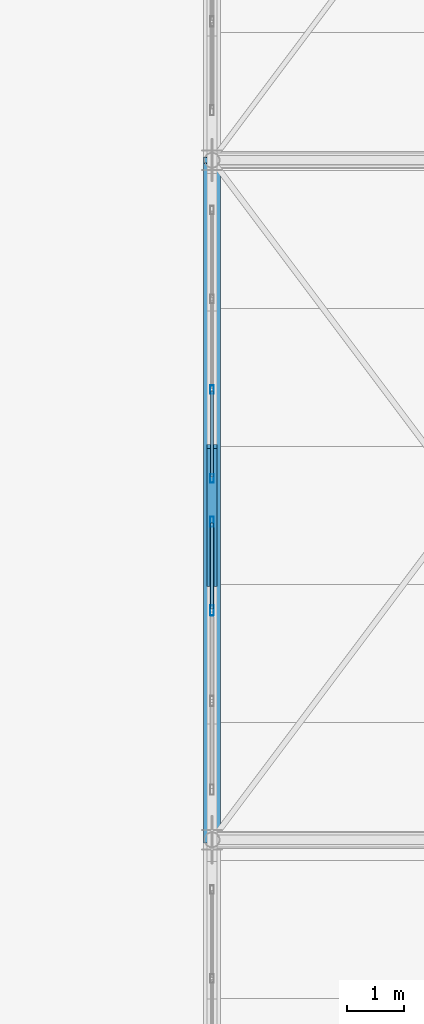
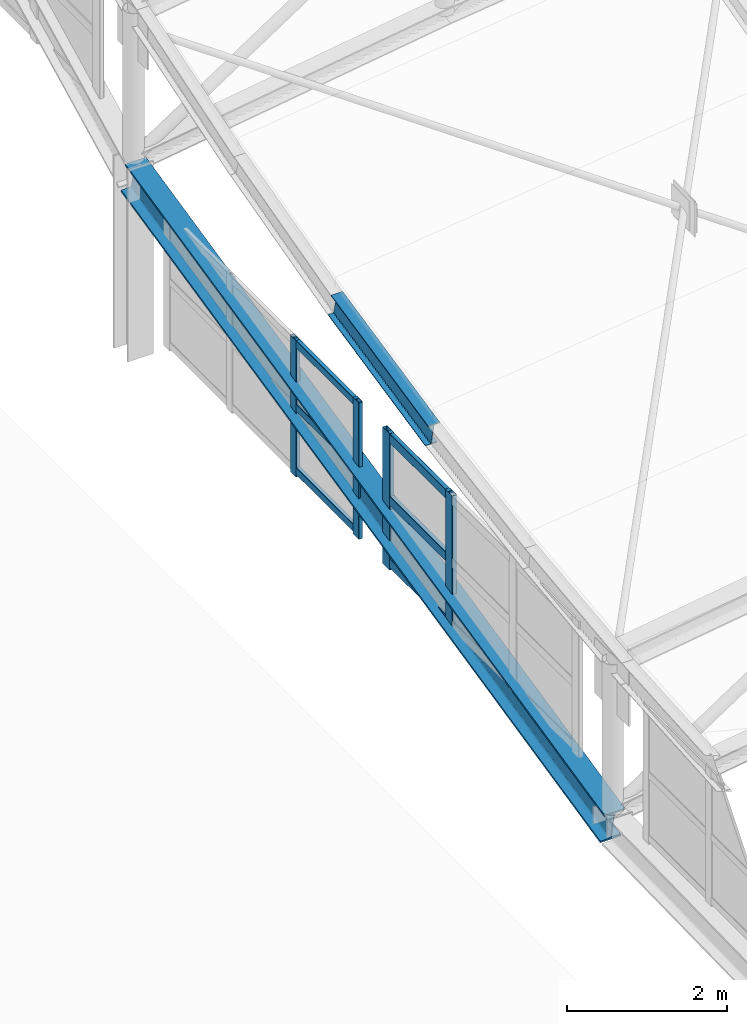
# One storey, part 110 of 262: 11 members, 1 beam, 2 elements without a shape of their own.
"""IFC4 building model written with IfcOpenShell, lengths in metres."""

from ifc_helpers import new_model, si_unit, derived_unit, direction, frame, origin, origin_2d, place, context, subcontext, project, spatial, hollow_rectangle, i_section, extrude, material, layer, layer_set, material_profile, profile_set, type_object, element, aggregate, save


model = new_model("IFC4")

# Units and contexts
model_context = context("Model", 3, precision=1e-05, world=origin(), true_north=direction((0.0, 1.0)))
body_context = subcontext(model_context, "Body", "Model", "MODEL_VIEW")
ifc_project = project(units=[si_unit("LENGTHUNIT", "METRE"), si_unit("AREAUNIT", "SQUARE_METRE"), si_unit("VOLUMEUNIT", "CUBIC_METRE"), si_unit("PLANEANGLEUNIT", "RADIAN"), si_unit("MASSUNIT", "GRAM", prefix="KILO"), derived_unit("THERMALTRANSMITTANCEUNIT", [(si_unit("POWERUNIT", "WATT"), 1), (si_unit("LENGTHUNIT", "METRE"), -2), (si_unit("THERMODYNAMICTEMPERATUREUNIT", "KELVIN"), -1)])], contexts=[model_context])

# Site, building, storey
site_placement = place(None, origin())
site = spatial("IfcSite", under=ifc_project, at=site_placement, CompositionType="ELEMENT")
building_placement = place(site_placement, origin())
building = spatial("IfcBuilding", under=site, at=building_placement, Name="Almenara Railside Exhibition Hall", CompositionType="ELEMENT")
storey_placement = place(building_placement, frame((0.0, 0.0, 21.699951171875)))
storey = spatial("IfcBuildingStorey", under=building, at=storey_placement, Name="RF", CompositionType="ELEMENT", Elevation=21.699951171875)

# Curtain wall, members
ifc_material_1 = material(Name="Bronze-anodised aluminium and low-E double glazing", Category="aluminium")
ifc_layer = layer(ifc_material_1, 0.179931640625, Name="Bronze-anodised aluminium and low-E double glazing")
ifc_layer_set = layer_set([ifc_layer], Name="Bronze-anodised aluminium and low-E double glazing")
curtain_wall_type = type_object("IfcCurtainWallType", Name="West Hall Clerestory Curtain Wall 4200x2400", PredefinedType="NOTDEFINED", material=ifc_layer_set)
curtain_wall_1_placement = place(storey_placement, origin())
curtain_wall_1 = element("IfcCurtainWall", 1, at=curtain_wall_1_placement, inside=storey, type_object=curtain_wall_type, Name="Curtain wall CW-CL1-189", PredefinedType="NOTDEFINED")
ifc_material_2 = material(Name="Bronze-anodised aluminium", Category="aluminium")
ifc_material_profile_1 = material_profile(ifc_material_2, hollow_rectangle(XDim=0.06005859375, YDim=0.14990234375, WallThickness=0.00341796875, InnerFilletRadius=0.00341796875, OuterFilletRadius=0.007080078125, at=origin_2d()), Name="ALU-MUL 60x150x3.5")
ifc_profile_set_1 = profile_set([ifc_material_profile_1], Name="Bronze-anodised aluminium")
member_type_1 = type_object("IfcMemberType", Name="Curtain Wall Mullion 60x150x3.5", PredefinedType="MULLION", material=ifc_profile_set_1)
member_1_placement = place(storey_placement, frame((12.0, 114.3798828125, -1.824951171875), z_axis=(0.0, 0.0, 1.0), x_axis=(-1.0, 0.0, 0.0)))
member_1 = element("IfcMember", 2, at=member_1_placement, type_object=member_type_1, Name="CW-CL1-189 mullion 1", PredefinedType="MULLION", context=body_context, shape_type="SweptSolid", body=[
    extrude(hollow_rectangle(XDim=0.06005859375, YDim=0.14990234375, WallThickness=0.00341796875, InnerFilletRadius=0.00341796875, OuterFilletRadius=0.007080078125, at=origin_2d()), origin(), (0.0, 0.0, 1.0), 2.0849609375),
])
member_2_placement = place(storey_placement, frame((12.0, 115.949951171875, -1.824951171875), z_axis=(0.0, 0.0, 1.0), x_axis=(-1.0, 0.0, 0.0)))
member_2 = element("IfcMember", 3, at=member_2_placement, type_object=member_type_1, Name="CW-CL1-189 mullion 2", PredefinedType="MULLION", context=body_context, shape_type="SweptSolid", body=[
    extrude(hollow_rectangle(XDim=0.06005859375, YDim=0.14990234375, WallThickness=0.00341796875, InnerFilletRadius=0.00341796875, OuterFilletRadius=0.007080078125, at=origin_2d()), origin(), (0.0, 0.0, 1.0), 2.0849609375),
])

curtain_wall_2_placement = place(storey_placement, origin())
curtain_wall_2 = element("IfcCurtainWall", 4, at=curtain_wall_2_placement, inside=storey, type_object=curtain_wall_type, Name="Curtain wall CW-CL1-188", PredefinedType="NOTDEFINED")
ifc_material_profile_2 = material_profile(ifc_material_2, hollow_rectangle(XDim=0.06494140625, YDim=0.179931640625, WallThickness=0.00390625, InnerFilletRadius=0.00390625, OuterFilletRadius=0.008056640625, at=origin_2d()), Name="ALU-MUL 65x180x4")
ifc_profile_set_2 = profile_set([ifc_material_profile_2], Name="Bronze-anodised aluminium")
member_type_2 = type_object("IfcMemberType", Name="Curtain Wall Mullion 65x180x4", PredefinedType="MULLION", material=ifc_profile_set_2)
member_3_placement = place(storey_placement, frame((12.0, 112.050048828125, -1.824951171875), z_axis=(0.0, 0.0, 1.0), x_axis=(-1.0, 0.0, 0.0)))
member_3 = element("IfcMember", 5, at=member_3_placement, type_object=member_type_2, Name="CW-CL1-188 mullion 3", PredefinedType="MULLION", context=body_context, shape_type="SweptSolid", body=[
    extrude(hollow_rectangle(XDim=0.06494140625, YDim=0.179931640625, WallThickness=0.00390625, InnerFilletRadius=0.00390625, OuterFilletRadius=0.008056640625, at=origin_2d()), origin(), (0.0, 0.0, 1.0), 2.0849609375),
])
member_4_placement = place(storey_placement, frame((12.0, 113.617431640625, -1.824951171875), z_axis=(0.0, 0.0, 1.0), x_axis=(-1.0, 0.0, 0.0)))
member_4 = element("IfcMember", 6, at=member_4_placement, type_object=member_type_2, Name="CW-CL1-188 mullion 4", PredefinedType="MULLION", context=body_context, shape_type="SweptSolid", body=[
    extrude(hollow_rectangle(XDim=0.06494140625, YDim=0.179931640625, WallThickness=0.00390625, InnerFilletRadius=0.00390625, OuterFilletRadius=0.008056640625, at=origin_2d()), origin(), (0.0, 0.0, 1.0), 2.0849609375),
])

# Member
ifc_material_profile_3 = material_profile(ifc_material_2, hollow_rectangle(XDim=0.06005859375, YDim=0.110107421875, WallThickness=0.0029296875, InnerFilletRadius=0.0029296875, OuterFilletRadius=0.006103515625, at=origin_2d()), Name="ALU-TRN 60x110x3")
ifc_profile_set_3 = profile_set([ifc_material_profile_3], Name="Bronze-anodised aluminium")
member_type_3 = type_object("IfcMemberType", Name="Curtain Wall Transom 60x110x3", PredefinedType="USERDEFINED", material=ifc_profile_set_3)
member_5_placement = place(storey_placement, frame((12.0, 114.402099609375, -1.73486328125), z_axis=(0.0, 1.0, 0.0), x_axis=(-1.0, 0.0, 0.0)))
member_5 = element("IfcMember", 7, at=member_5_placement, type_object=member_type_3, Name="CW-CL1-189 transom 1.1", ObjectType="TRANSOM", PredefinedType="USERDEFINED", context=body_context, shape_type="SweptSolid", body=[
    extrude(hollow_rectangle(XDim=0.06005859375, YDim=0.110107421875, WallThickness=0.0029296875, InnerFilletRadius=0.0029296875, OuterFilletRadius=0.006103515625, at=origin_2d()), origin(), (0.0, 0.0, 1.0), 1.52587890625),
])

member_6_placement = place(storey_placement, frame((12.0, 114.402099609375, -0.764892578125), z_axis=(0.0, 1.0, 0.0), x_axis=(-1.0, 0.0, 0.0)))
member_6 = element("IfcMember", 8, at=member_6_placement, type_object=member_type_3, Name="CW-CL1-189 transom 1.2", ObjectType="TRANSOM", PredefinedType="USERDEFINED", context=body_context, shape_type="SweptSolid", body=[
    extrude(hollow_rectangle(XDim=0.06005859375, YDim=0.110107421875, WallThickness=0.0029296875, InnerFilletRadius=0.0029296875, OuterFilletRadius=0.006103515625, at=origin_2d()), origin(), (0.0, 0.0, 1.0), 1.52587890625),
])

member_7_placement = place(storey_placement, frame((12.0, 114.402099609375, 0.205078125), z_axis=(0.0, 1.0, 0.0), x_axis=(-1.0, 0.0, 0.0)))
member_7 = element("IfcMember", 9, at=member_7_placement, type_object=member_type_3, Name="CW-CL1-189 transom 1.3", ObjectType="TRANSOM", PredefinedType="USERDEFINED", context=body_context, shape_type="SweptSolid", body=[
    extrude(hollow_rectangle(XDim=0.06005859375, YDim=0.110107421875, WallThickness=0.0029296875, InnerFilletRadius=0.0029296875, OuterFilletRadius=0.006103515625, at=origin_2d()), origin(), (0.0, 0.0, 1.0), 1.52587890625),
])

aggregate(curtain_wall_1, [member_1, member_2, member_5, member_6, member_7])

ifc_material_profile_4 = material_profile(ifc_material_2, hollow_rectangle(XDim=0.06494140625, YDim=0.139892578125, WallThickness=0.00341796875, InnerFilletRadius=0.00341796875, OuterFilletRadius=0.007080078125, at=origin_2d()), Name="ALU-TRN 65x140x3.5")
ifc_profile_set_4 = profile_set([ifc_material_profile_4], Name="Bronze-anodised aluminium")
member_type_4 = type_object("IfcMemberType", Name="Curtain Wall Transom 65x140x3.5", PredefinedType="USERDEFINED", material=ifc_profile_set_4)
member_8_placement = place(storey_placement, frame((12.0, 112.074462890625, -1.719970703125), z_axis=(0.0, 1.0, 0.0), x_axis=(-1.0, 0.0, 0.0)))
member_8 = element("IfcMember", 10, at=member_8_placement, type_object=member_type_4, Name="CW-CL1-188 transom 3.1", ObjectType="TRANSOM", PredefinedType="USERDEFINED", context=body_context, shape_type="SweptSolid", body=[
    extrude(hollow_rectangle(XDim=0.06494140625, YDim=0.139892578125, WallThickness=0.00341796875, InnerFilletRadius=0.00341796875, OuterFilletRadius=0.007080078125, at=origin_2d()), origin(), (0.0, 0.0, 1.0), 1.5185546875),
])

member_9_placement = place(storey_placement, frame((12.0, 112.074462890625, -0.764892578125), z_axis=(0.0, 1.0, 0.0), x_axis=(-1.0, 0.0, 0.0)))
member_9 = element("IfcMember", 11, at=member_9_placement, type_object=member_type_4, Name="CW-CL1-188 transom 3.2", ObjectType="TRANSOM", PredefinedType="USERDEFINED", context=body_context, shape_type="SweptSolid", body=[
    extrude(hollow_rectangle(XDim=0.06494140625, YDim=0.139892578125, WallThickness=0.00341796875, InnerFilletRadius=0.00341796875, OuterFilletRadius=0.007080078125, at=origin_2d()), origin(), (0.0, 0.0, 1.0), 1.5185546875),
])

member_10_placement = place(storey_placement, frame((12.0, 112.074462890625, 0.18994140625), z_axis=(0.0, 1.0, 0.0), x_axis=(-1.0, 0.0, 0.0)))
member_10 = element("IfcMember", 12, at=member_10_placement, type_object=member_type_4, Name="CW-CL1-188 transom 3.3", ObjectType="TRANSOM", PredefinedType="USERDEFINED", context=body_context, shape_type="SweptSolid", body=[
    extrude(hollow_rectangle(XDim=0.06494140625, YDim=0.139892578125, WallThickness=0.00341796875, InnerFilletRadius=0.00341796875, OuterFilletRadius=0.007080078125, at=origin_2d()), origin(), (0.0, 0.0, 1.0), 1.5185546875),
])

aggregate(curtain_wall_2, [member_3, member_4, member_8, member_9, member_10])

ifc_material_3 = material(Name="Structural steel S355JR", Category="steel")
ifc_material_profile_5 = material_profile(ifc_material_3, i_section(OverallWidth=0.169921875, OverallDepth=0.360107421875, WebThickness=0.008056640625, FlangeThickness=0.0126953125, FilletRadius=0.01806640625, at=origin_2d()), Name="IPE 360")
ifc_profile_set_5 = profile_set([ifc_material_profile_5], Name="Structural steel S355JR")
member_type_5 = type_object("IfcMemberType", Name="Long-Span Scroll Purlin IPE 360 S355JR", PredefinedType="PURLIN", material=ifc_profile_set_5)
member_11_placement = place(storey_placement, frame((12.0, 112.50634765625, 0.86279296875), z_axis=(0.0, 0.977516294467, 0.210859891994), x_axis=(-1.0, 0.0, 0.0)))
element("IfcMember", 13, at=member_11_placement, inside=storey, type_object=member_type_5, Name="MEM-PR-V1-PR-IPE360-00-20", PredefinedType="PURLIN", context=body_context, shape_type="SweptSolid", body=[
    extrude(i_section(OverallWidth=0.169921875, OverallDepth=0.360107421875, WebThickness=0.008056640625, FlangeThickness=0.0126953125, FilletRadius=0.01806640625, at=origin_2d()), origin(), (0.0, 0.0, 1.0), 2.492919921875),
])

# Beam
ifc_material_profile_6 = material_profile(ifc_material_3, i_section(OverallWidth=0.300048828125, OverallDepth=0.5, WebThickness=0.014404296875, FlangeThickness=0.028076171875, FilletRadius=0.027099609375, at=origin_2d()), Name="HEB 500")
ifc_profile_set_6 = profile_set([ifc_material_profile_6], Name="Structural steel S355JR")
beam_type = type_object("IfcBeamType", Name="Steel Heavy Eaves Girder HEB 500 S355JR", PredefinedType="USERDEFINED", material=ifc_profile_set_6)
beam_placement = place(storey_placement, frame((12.0, 108.0, -2.38525390625), z_axis=(0.0, 0.976017158666, 0.217693605763), x_axis=(-1.0, 0.0, 0.0)))
element("IfcBeam", 14, at=beam_placement, inside=storey, type_object=beam_type, Name="Beam 0971", ObjectType="GIRDER", PredefinedType="USERDEFINED", context=body_context, shape_type="SweptSolid", body=[
    extrude(i_section(OverallWidth=0.300048828125, OverallDepth=0.5, WebThickness=0.014404296875, FlangeThickness=0.028076171875, FilletRadius=0.027099609375, at=origin_2d()), origin(), (0.0, 0.0, 1.0), 12.294921875),
])

save(model, "model.ifc")
